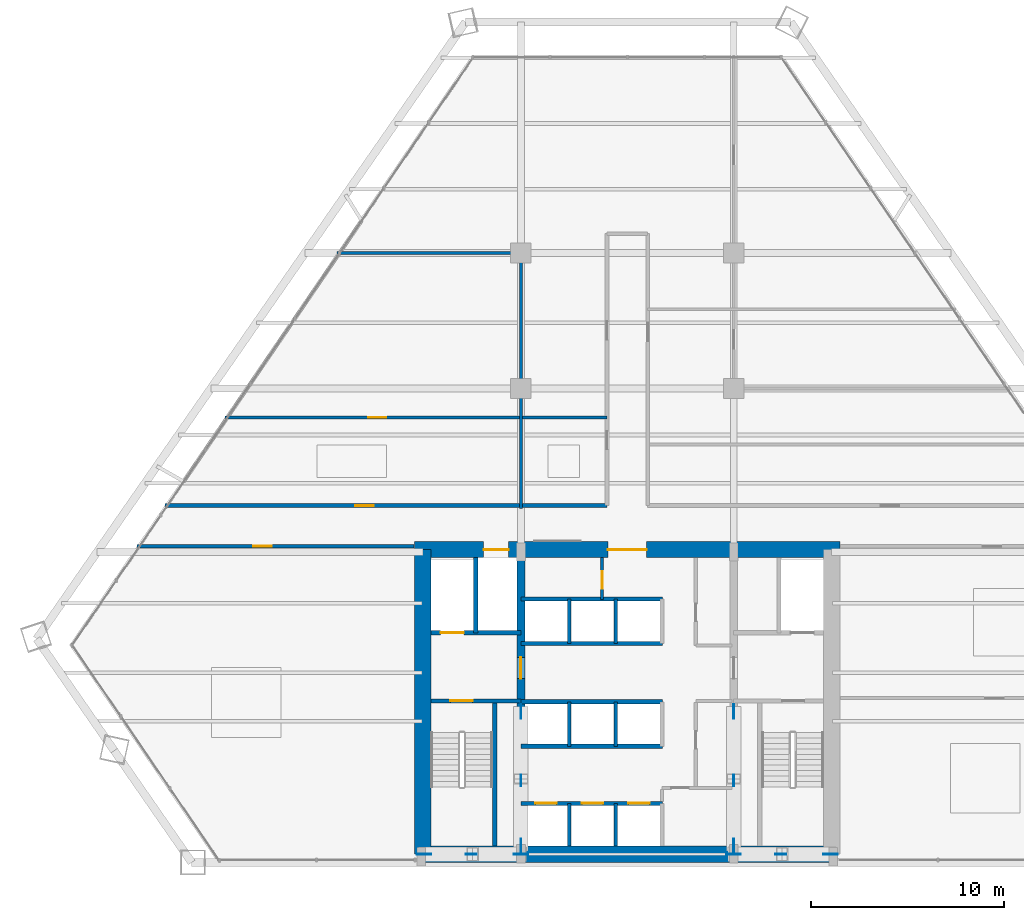
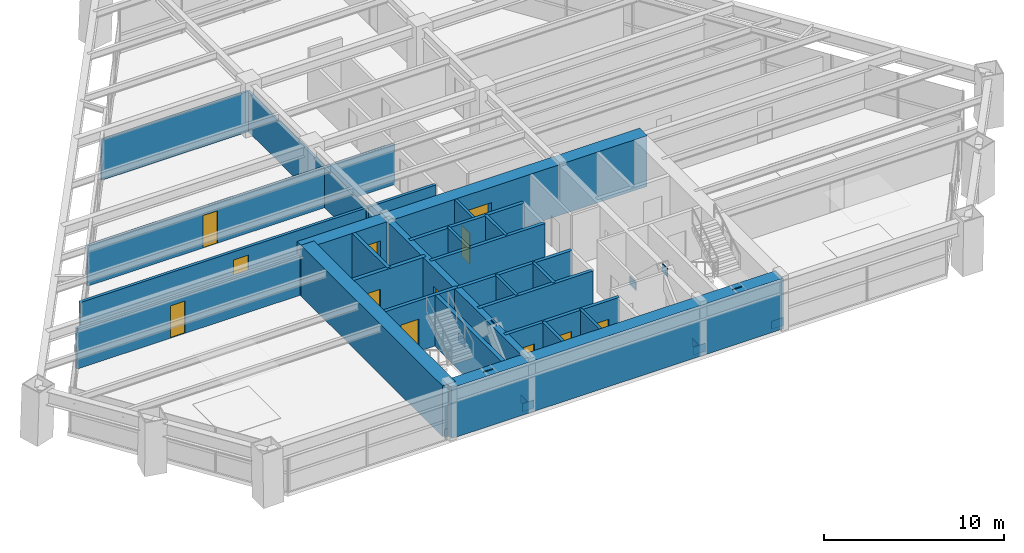
# One storey, part 10 of 13: 25 walls, 12 doors, 12 plates, 12 openings.
"""IFC4 building model written with IfcOpenShell, lengths in metres."""

from ifc_helpers import new_model, si_unit, direction, frame, frame_2d, origin, origin_2d, place, context, subcontext, project, spatial, rectangle, extrude, source, transform, mapped, material, layer, layer_set, type_object, type_shapes, element, fill, save


model = new_model("IFC4")

# Units and contexts
model_context = context("Model", 3, precision=1e-05, world=origin(), true_north=direction((0.0, 1.0)))
body_context = subcontext(model_context, "Body", "Model", "MODEL_VIEW")
ifc_project = project(units=[si_unit("LENGTHUNIT", "METRE"), si_unit("AREAUNIT", "SQUARE_METRE"), si_unit("VOLUMEUNIT", "CUBIC_METRE"), si_unit("PLANEANGLEUNIT", "RADIAN"), si_unit("MASSUNIT", "GRAM", prefix="KILO")], contexts=[model_context])

# Site, building, storey
site_placement = place(None, origin())
site = spatial("IfcSite", under=ifc_project, at=site_placement, CompositionType="ELEMENT")
building_placement = place(site_placement, origin())
building = spatial("IfcBuilding", under=site, at=building_placement, Name="Varnakhor Terracotta Tower", CompositionType="ELEMENT")
storey_placement = place(building_placement, frame((0.0, 0.0, 27.5)))
storey = spatial("IfcBuildingStorey", under=building, at=storey_placement, Name="L05", CompositionType="ELEMENT", Elevation=27.5)

# Plates
ifc_material_1 = material(Name="Steel S460", Category="steel")
ifc_layer_1 = layer(ifc_material_1, 0.050048828125, Name="Steel S460")
ifc_layer_set_1 = layer_set([ifc_layer_1], Name="Steel S460")
plate_type = type_object("IfcPlateType", Name="PLT-GUSSET-50", PredefinedType="USERDEFINED", material=ifc_layer_set_1)
shared_shape_1 = source(origin(), body_context, "Body", "SweptSolid", [
    extrude(rectangle(XDim=0.75, YDim=0.0400390625, at=origin_2d()), origin(), (0.0, 0.0, 1.0), 0.550048828125),
])
type_shapes(plate_type, [shared_shape_1])
for number, where, z_axis, x_axis, name in (
    (1, (-10.5, 0.419921875, -0.09521484375), (0.0, 0.0, 1.0), (1.0, 0.0, 0.0), "L05 Core Brace Embed Plate CSWA"),
    (2, (-5.5, 0.419921875, -0.09521484375), (0.0, 0.0, 1.0), (1.0, 0.0, 0.0), "L05 Core Brace Embed Plate CSWB"),
    (3, (5.5, 0.419921875, -0.09521484375), (0.0, 0.0, 1.0), (1.0, 0.0, 0.0), "L05 Core Brace Embed Plate CSEA"),
    (4, (10.5, 0.419921875, -0.09521484375), (0.0, 0.0, 1.0), (1.0, 0.0, 0.0), "L05 Core Brace Embed Plate CSEB"),
    (5, (-5.5, 0.85009765625, -0.09521484375), (0.0, 0.0, 1.0), (0.0, 1.0, 0.0), "L05 Core Brace Embed Plate CWWA"),
    (6, (-5.5, 7.800048828125, -0.09521484375), (0.0, 0.0, 1.0), (0.0, 1.0, 0.0), "L05 Core Brace Embed Plate CWWB"),
    (7, (5.5, 0.85009765625, -0.09521484375), (0.0, 0.0, 1.0), (0.0, 1.0, 0.0), "L05 Core Brace Embed Plate CWEA"),
    (8, (5.5, 7.800048828125, -0.09521484375), (0.0, 0.0, 1.0), (0.0, 1.0, 0.0), "L05 Core Brace Embed Plate CWEB"),
):
    element("IfcPlate", number, at=place(storey_placement, frame(where, z_axis=z_axis, x_axis=x_axis)), inside=storey, type_object=plate_type, Name=name, ObjectType="GUSSET PLATE", PredefinedType="USERDEFINED", context=body_context, shape_type="MappedRepresentation", body=[
        mapped(shared_shape_1, transform((0.0, 0.0, 0.0), scale=1.0)),
    ])
shared_shape_2 = source(origin(), body_context, "Body", "SweptSolid", [
    extrude(rectangle(XDim=0.580078125, YDim=0.0400390625, at=origin_2d()), origin(), (0.0, 0.0, 1.0), 0.580078125),
])
for number, where, z_axis, x_axis, name in (
    (9, (-8.072509765625, 0.419921875, 2.914306640625), (0.0, 0.0, 1.0), (1.0, 0.0, 0.0), "L05 Brace End Connection Plate 28"),
    (10, (7.927490234375, 0.419921875, 2.914306640625), (0.0, 0.0, 1.0), (1.0, 0.0, 0.0), "L05 Brace End Connection Plate 29"),
    (11, (-5.5, 4.238037109375, 2.92724609375), (0.0, 0.0, 1.0), (0.0, 1.0, 0.0), "L05 Brace End Connection Plate 30"),
    (12, (5.5, 4.238037109375, 2.92724609375), (0.0, 0.0, 1.0), (0.0, 1.0, 0.0), "L05 Brace End Connection Plate 31"),
):
    element("IfcPlate", number, at=place(storey_placement, frame(where, z_axis=z_axis, x_axis=x_axis)), inside=storey, type_object=plate_type, Name=name, ObjectType="GUSSET PLATE", PredefinedType="USERDEFINED", context=body_context, shape_type="MappedRepresentation", body=[
        mapped(shared_shape_2, transform((0.0, 0.0, 0.0), scale=1.0)),
    ])

# Wall
ifc_material_2 = material(Name="Concrete C60/75", Category="concrete")
ifc_layer_2 = layer(ifc_material_2, 0.85009765625, Name="Concrete C60/75")
ifc_layer_set_2 = layer_set([ifc_layer_2], Name="Concrete C60/75")
wall_type_1 = type_object("IfcWallType", Name="WAL-CORE-850", PredefinedType="SHEAR", material=ifc_layer_set_2)
wall_1_placement = place(storey_placement, frame((-10.64990234375, 0.425048828125, 0.0), z_axis=(0.0, 0.0, 1.0), x_axis=(1.0, 0.0, 0.0)))
element("IfcWall", 13, at=wall_1_placement, inside=storey, type_object=wall_type_1, Name="L05 South Core Shear Wall", PredefinedType="SHEAR", context=body_context, shape_type="SweptSolid", body=[
    extrude(rectangle(XDim=21.2998046875, YDim=0.85009765625, at=frame_2d((10.64990234375, 0.0))), origin(), (0.0, 0.0, 1.0), 3.449951171875),
])

# Wall, openings, doors
wall_2_placement = place(storey_placement, frame((-11.0, 16.175048828125, 0.0), z_axis=(0.0, 0.0, 1.0), x_axis=(1.0, 0.0, 0.0)))
wall_2 = element("IfcWall", 14, at=wall_2_placement, inside=storey, type_object=wall_type_1, Name="L05 North Core Shear Wall", PredefinedType="SHEAR", context=body_context, shape_type="SweptSolid", body=[
    extrude(rectangle(XDim=22.0, YDim=0.85009765625, at=frame_2d((11.0, 0.0))), origin(), (0.0, 0.0, 1.0), 3.449951171875),
])
opening_1_placement = place(wall_2_placement, frame((3.570068359375, 0.0, 0.0)))
opening_1 = element("IfcOpeningElement", 15, at=opening_1_placement, cuts=wall_2, Name="Opening LD-03", PredefinedType="OPENING", context=body_context, shape_type="SweptSolid", body=[
    extrude(rectangle(XDim=1.300048828125, YDim=2.300048828125, at=frame_2d((0.64990234375, 1.14990234375))), frame((0.0, 0.43505859375, 0.0), z_axis=(0.0, -1.0, 0.0), x_axis=(1.0, 0.0, 0.0)), (0.0, 0.0, 1.0), 0.8701171875),
])
opening_2_placement = place(wall_2_placement, frame((10.0, 0.0, 0.0)))
opening_2 = element("IfcOpeningElement", 16, at=opening_2_placement, cuts=wall_2, Name="Opening DR-32", PredefinedType="OPENING", context=body_context, shape_type="SweptSolid", body=[
    extrude(rectangle(XDim=2.0, YDim=2.39990234375, at=frame_2d((1.0, 1.199951171875))), frame((0.0, 0.43505859375, 0.0), z_axis=(0.0, -1.0, 0.0), x_axis=(1.0, 0.0, 0.0)), (0.0, 0.0, 1.0), 0.8701171875),
])
ifc_material_3 = material(Name="Heavy-Duty Goods Sliding Lift Landing Door", Category="steel")
door_type_1 = type_object("IfcDoorType", Name="LD-SRV-1300X2300", OperationType="NOTDEFINED", PredefinedType="DOOR", material=ifc_material_3)
shared_shape_3 = source(origin(), body_context, "Body", "SweptSolid", [
    extrude(rectangle(XDim=1.300048828125, YDim=2.300048828125, at=frame_2d((0.64990234375, 1.14990234375))), frame((0.0, 0.02490234375, 0.0), z_axis=(0.0, -1.0, 0.0), x_axis=(1.0, 0.0, 0.0)), (0.0, 0.0, 1.0), 0.050048828125),
])
type_shapes(door_type_1, [shared_shape_3])
door_1_placement = place(opening_1_placement, origin())
door_1 = element("IfcDoor", 17, at=door_1_placement, inside=storey, type_object=door_type_1, Name="L05 Service Lift SVL-1 Landing Door", OperationType="SLIDING_TO_RIGHT", OverallHeight=2.300048828125, OverallWidth=1.300048828125, PredefinedType="DOOR", context=body_context, shape_type="MappedRepresentation", body=[
    mapped(shared_shape_3, transform((0.0, 0.0, 0.0), scale=1.0)),
])
fill(opening_1, door_1)
ifc_material_4 = material(Name="Acoustic Double Assembly Fire Door", Category="wood")
door_type_2 = type_object("IfcDoorType", Name="DR-HALL-2000X2400", OperationType="NOTDEFINED", PredefinedType="DOOR", material=ifc_material_4)
shared_shape_4 = source(origin(), body_context, "Body", "SweptSolid", [
    extrude(rectangle(XDim=2.0, YDim=2.39990234375, at=frame_2d((1.0, 1.199951171875))), frame((0.0, 0.02490234375, 0.0), z_axis=(0.0, -1.0, 0.0), x_axis=(1.0, 0.0, 0.0)), (0.0, 0.0, 1.0), 0.050048828125),
])
type_shapes(door_type_2, [shared_shape_4])
door_2_placement = place(opening_2_placement, origin())
door_2 = element("IfcDoor", 18, at=door_2_placement, inside=storey, type_object=door_type_2, Name="L05 Core Main Lobby Double Door", OperationType="DOUBLE_DOOR_SINGLE_SWING", OverallHeight=2.39990234375, OverallWidth=2.0, PredefinedType="DOOR", context=body_context, shape_type="MappedRepresentation", body=[
    mapped(shared_shape_4, transform((0.0, 0.0, 0.0), scale=1.0)),
])
fill(opening_2, door_2)

# Wall
wall_3_placement = place(storey_placement, frame((-10.574951171875, 0.425048828125, 0.0), z_axis=(0.0, 0.0, 1.0), x_axis=(0.0, 1.0, 0.0)))
element("IfcWall", 19, at=wall_3_placement, inside=storey, type_object=wall_type_1, Name="L05 West Core Shear Wall", PredefinedType="SHEAR", context=body_context, shape_type="SweptSolid", body=[
    extrude(rectangle(XDim=15.75, YDim=0.85009765625, at=frame_2d((7.875, 0.0))), origin(), (0.0, 0.0, 1.0), 3.449951171875),
])

# Wall, opening, door
ifc_material_5 = material(Name="Concrete C50/60", Category="concrete")
ifc_layer_3 = layer(ifc_material_5, 0.39990234375, Name="Concrete C50/60")
ifc_layer_set_3 = layer_set([ifc_layer_3], Name="Concrete C50/60")
wall_type_2 = type_object("IfcWallType", Name="WAL-CORE-WEB-400", PredefinedType="SHEAR", material=ifc_layer_set_3)
wall_4_placement = place(storey_placement, frame((-5.5, 0.425048828125, 0.0), z_axis=(0.0, 0.0, 1.0), x_axis=(0.0, 1.0, 0.0)))
wall_4 = element("IfcWall", 20, at=wall_4_placement, inside=storey, type_object=wall_type_2, Name="L05 West Core Web Shear Wall", PredefinedType="SHEAR", context=body_context, shape_type="SweptSolid", body=[
    extrude(rectangle(XDim=15.75, YDim=0.39990234375, at=frame_2d((7.875, 0.0))), origin(), (0.0, 0.0, 1.0), 3.449951171875),
])
opening_3_placement = place(wall_4_placement, frame((9.074951171875, 0.0, 0.0)))
opening_3 = element("IfcOpeningElement", 21, at=opening_3_placement, cuts=wall_4, Name="Opening DR-25", PredefinedType="OPENING", context=body_context, shape_type="SweptSolid", body=[
    extrude(rectangle(XDim=1.10009765625, YDim=2.199951171875, at=frame_2d((0.550048828125, 1.10009765625))), frame((0.0, 0.2099609375, 0.0), z_axis=(0.0, -1.0, 0.0), x_axis=(1.0, 0.0, 0.0)), (0.0, 0.0, 1.0), 0.419921875),
])
ifc_material_6 = material(Name="Firefighting Lobby Self-Closing Fire Door", Category="steel")
door_type_3 = type_object("IfcDoorType", Name="DR-FFL-1100X2200", OperationType="NOTDEFINED", PredefinedType="DOOR", material=ifc_material_6)
shared_shape_5 = source(origin(), body_context, "Body", "SweptSolid", [
    extrude(rectangle(XDim=1.10009765625, YDim=2.199951171875, at=frame_2d((0.550048828125, 1.10009765625))), frame((0.0, 0.02490234375, 0.0), z_axis=(0.0, -1.0, 0.0), x_axis=(1.0, 0.0, 0.0)), (0.0, 0.0, 1.0), 0.050048828125),
])
type_shapes(door_type_3, [shared_shape_5])
door_3_placement = place(opening_3_placement, origin())
door_3 = element("IfcDoor", 22, at=door_3_placement, inside=storey, type_object=door_type_3, Name="L05 West Firefighting Lobby Door", OperationType="SINGLE_SWING_LEFT", OverallHeight=2.199951171875, OverallWidth=1.10009765625, PredefinedType="DOOR", context=body_context, shape_type="MappedRepresentation", body=[
    mapped(shared_shape_5, transform((0.0, 0.0, 0.0), scale=1.0)),
])
fill(opening_3, door_3)

ifc_material_7 = material(Name="Fire-Rated Gypsum Stud Partition", Category="gypsum")
ifc_layer_4 = layer(ifc_material_7, 0.18505859375, Name="Fire-Rated Gypsum Stud Partition")
ifc_layer_set_4 = layer_set([ifc_layer_4], Name="Fire-Rated Gypsum Stud Partition")
wall_type_3 = type_object("IfcWallType", Name="WAL-CORR-185", PredefinedType="PARTITIONING", material=ifc_layer_set_4)
wall_5_placement = place(storey_placement, frame((-25.333251953125, 16.35009765625, 0.0), z_axis=(0.0, 0.0, 1.0), x_axis=(1.0, 0.0, 0.0)))
wall_5 = element("IfcWall", 23, at=wall_5_placement, inside=storey, type_object=wall_type_3, Name="L05 South West Corridor Wall", PredefinedType="PARTITIONING", context=body_context, shape_type="SweptSolid", body=[
    extrude(rectangle(XDim=14.313232421875, YDim=0.18505859375, at=frame_2d((7.15673828125, 0.0))), origin(), (0.0, 0.0, 1.0), 2.7470703125),
])
opening_4_placement = place(wall_5_placement, frame((6.0, 0.0, 0.0)))
opening_4 = element("IfcOpeningElement", 24, at=opening_4_placement, cuts=wall_5, Name="Opening DR-94", PredefinedType="OPENING", context=body_context, shape_type="SweptSolid", body=[
    extrude(rectangle(XDim=0.949951171875, YDim=2.199951171875, at=frame_2d((0.47509765625, 1.10009765625))), frame((0.0, 0.1025390625, 0.0), z_axis=(0.0, -1.0, 0.0), x_axis=(1.0, 0.0, 0.0)), (0.0, 0.0, 1.0), 0.205078125),
])
ifc_material_8 = material(Name="Acoustic Glazed-Vision Timber Office Door", Category="wood")
door_type_4 = type_object("IfcDoorType", Name="DR-OFF-950X2200", OperationType="NOTDEFINED", PredefinedType="DOOR", material=ifc_material_8)
shared_shape_6 = source(origin(), body_context, "Body", "SweptSolid", [
    extrude(rectangle(XDim=0.949951171875, YDim=2.199951171875, at=frame_2d((0.47509765625, 1.10009765625))), frame((0.0, 0.02490234375, 0.0), z_axis=(0.0, -1.0, 0.0), x_axis=(1.0, 0.0, 0.0)), (0.0, 0.0, 1.0), 0.050048828125),
])
type_shapes(door_type_4, [shared_shape_6])
door_4_placement = place(opening_4_placement, origin())
door_4 = element("IfcDoor", 25, at=door_4_placement, inside=storey, type_object=door_type_4, Name="L05 SW Suite Door", OperationType="SINGLE_SWING_RIGHT", OverallHeight=2.199951171875, OverallWidth=0.949951171875, PredefinedType="DOOR", context=body_context, shape_type="MappedRepresentation", body=[
    mapped(shared_shape_6, transform((0.0, 0.0, 0.0), scale=1.0)),
])
fill(opening_4, door_4)

wall_6_placement = place(storey_placement, frame((-23.900390625, 18.449951171875, 0.0), z_axis=(0.0, 0.0, 1.0), x_axis=(1.0, 0.0, 0.0)))
wall_6 = element("IfcWall", 26, at=wall_6_placement, inside=storey, type_object=wall_type_3, Name="L05 Corridor North West Wall", PredefinedType="PARTITIONING", context=body_context, shape_type="SweptSolid", body=[
    extrude(rectangle(XDim=22.850341796875, YDim=0.18505859375, at=frame_2d((11.42529296875, 0.0))), origin(), (0.0, 0.0, 1.0), 2.7470703125),
])
opening_5_placement = place(wall_6_placement, frame((9.841796875, 0.0, 0.0)))
opening_5 = element("IfcOpeningElement", 27, at=opening_5_placement, cuts=wall_6, Name="Opening DR-94", PredefinedType="OPENING", context=body_context, shape_type="SweptSolid", body=[
    extrude(rectangle(XDim=0.949951171875, YDim=2.199951171875, at=frame_2d((0.47509765625, 1.10009765625))), frame((0.0, 0.1025390625, 0.0), z_axis=(0.0, -1.0, 0.0), x_axis=(1.0, 0.0, 0.0)), (0.0, 0.0, 1.0), 0.205078125),
])
door_5_placement = place(opening_5_placement, origin())
door_5 = element("IfcDoor", 28, at=door_5_placement, inside=storey, type_object=door_type_4, Name="L05 West Workplace Door", OperationType="SINGLE_SWING_RIGHT", OverallHeight=2.199951171875, OverallWidth=0.949951171875, PredefinedType="DOOR", context=body_context, shape_type="MappedRepresentation", body=[
    mapped(shared_shape_6, transform((0.0, 0.0, 0.0), scale=1.0)),
])
fill(opening_5, door_5)

ifc_material_9 = material(Name="Concrete C40/50", Category="concrete")
ifc_layer_5 = layer(ifc_material_9, 0.219970703125, Name="Concrete C40/50")
ifc_layer_set_5 = layer_set([ifc_layer_5], Name="Concrete C40/50")
wall_type_4 = type_object("IfcWallType", Name="WAL-FFLOBBY-220", PredefinedType="SOLIDWALL", material=ifc_layer_set_5)
wall_7_placement = place(storey_placement, frame((-5.5, 8.35009765625, 0.0), z_axis=(0.0, 0.0, 1.0), x_axis=(-1.0, 0.0, 0.0)))
wall_7 = element("IfcWall", 29, at=wall_7_placement, inside=storey, type_object=wall_type_4, Name="L05 West Firefighting Lobby Stair Wall", PredefinedType="SOLIDWALL", context=body_context, shape_type="SweptSolid", body=[
    extrude(rectangle(XDim=4.64990234375, YDim=0.219970703125, at=frame_2d((2.324951171875, 0.0))), origin(), (0.0, 0.0, 1.0), 3.449951171875),
])
opening_6_placement = place(wall_7_placement, frame((2.5, 0.0, 0.0)))
opening_6 = element("IfcOpeningElement", 30, at=opening_6_placement, cuts=wall_7, Name="Opening DR-34", PredefinedType="OPENING", context=body_context, shape_type="SweptSolid", body=[
    extrude(rectangle(XDim=1.14990234375, YDim=2.199951171875, at=frame_2d((0.574951171875, 1.10009765625))), frame((0.0, 0.1201171875, 0.0), z_axis=(0.0, -1.0, 0.0), x_axis=(1.0, 0.0, 0.0)), (0.0, 0.0, 1.0), 0.239990234375),
])
ifc_material_10 = material(Name="Self-Closing Smoke-Sealed Steel Fire Door", Category="steel")
door_type_5 = type_object("IfcDoorType", Name="DR-STAIR-1150X2200", OperationType="NOTDEFINED", PredefinedType="DOOR", material=ifc_material_10)
shared_shape_7 = source(origin(), body_context, "Body", "SweptSolid", [
    extrude(rectangle(XDim=1.14990234375, YDim=2.199951171875, at=frame_2d((0.574951171875, 1.10009765625))), frame((0.0, 0.02490234375, 0.0), z_axis=(0.0, -1.0, 0.0), x_axis=(1.0, 0.0, 0.0)), (0.0, 0.0, 1.0), 0.050048828125),
])
type_shapes(door_type_5, [shared_shape_7])
door_6_placement = place(opening_6_placement, origin())
door_6 = element("IfcDoor", 31, at=door_6_placement, inside=storey, type_object=door_type_5, Name="L05 Exit Stair ST-1 Fire Door", OperationType="SINGLE_SWING_RIGHT", OverallHeight=2.199951171875, OverallWidth=1.14990234375, PredefinedType="DOOR", context=body_context, shape_type="MappedRepresentation", body=[
    mapped(shared_shape_7, transform((0.0, 0.0, 0.0), scale=1.0)),
])
fill(opening_6, door_6)

# Walls
ifc_material_11 = material(Name="Acoustic Metal-Stud Partition", Category="gypsum")
ifc_layer_6 = layer(ifc_material_11, 0.139892578125, Name="Acoustic Metal-Stud Partition")
ifc_layer_set_6 = layer_set([ifc_layer_6], Name="Acoustic Metal-Stud Partition")
wall_type_5 = type_object("IfcWallType", Name="WAL-PART-140", PredefinedType="PARTITIONING", material=ifc_layer_set_6)
wall_8_placement = place(storey_placement, frame((-5.5, 18.300048828125, 0.0), z_axis=(0.0, 0.0, 1.0), x_axis=(0.0, 1.0, 0.0)))
element("IfcWall", 32, at=wall_8_placement, inside=storey, type_object=wall_type_5, Name="L05 West Column Line Wall", PredefinedType="PARTITIONING", context=body_context, shape_type="SweptSolid", body=[
    extrude(rectangle(XDim=13.199951171875, YDim=0.139892578125, at=frame_2d((6.60009765625, 0.0))), origin(), (0.0, 0.0, 1.0), 2.7470703125),
])
wall_9_placement = place(storey_placement, frame((-14.997314453125, 31.5, 0.0), z_axis=(0.0, 0.0, 1.0), x_axis=(1.0, 0.0, 0.0)))
element("IfcWall", 33, at=wall_9_placement, inside=storey, type_object=wall_type_5, Name="L05 North West Column Wall", PredefinedType="PARTITIONING", context=body_context, shape_type="SweptSolid", body=[
    extrude(rectangle(XDim=9.497314453125, YDim=0.139892578125, at=frame_2d((4.74853515625, 0.0))), origin(), (0.0, 0.0, 1.0), 2.7470703125),
])

# Wall, opening, door
wall_10_placement = place(storey_placement, frame((-20.79638671875, 23.0, 0.0), z_axis=(0.0, 0.0, 1.0), x_axis=(1.0, 0.0, 0.0)))
wall_10 = element("IfcWall", 34, at=wall_10_placement, inside=storey, type_object=wall_type_5, Name="L05 West Wing Cut 1", PredefinedType="PARTITIONING", context=body_context, shape_type="SweptSolid", body=[
    extrude(rectangle(XDim=19.746337890625, YDim=0.139892578125, at=frame_2d((9.873046875, 0.0))), origin(), (0.0, 0.0, 1.0), 2.7470703125),
])
opening_7_placement = place(wall_10_placement, frame((7.39599609375, 0.0, 0.0)))
opening_7 = element("IfcOpeningElement", 35, at=opening_7_placement, cuts=wall_10, Name="Opening DR-94", PredefinedType="OPENING", context=body_context, shape_type="SweptSolid", body=[
    extrude(rectangle(XDim=0.949951171875, YDim=2.199951171875, at=frame_2d((0.47509765625, 1.10009765625))), frame((0.0, 0.080078125, 0.0), z_axis=(0.0, -1.0, 0.0), x_axis=(1.0, 0.0, 0.0)), (0.0, 0.0, 1.0), 0.159912109375),
])
door_7_placement = place(opening_7_placement, origin())
door_7 = element("IfcDoor", 36, at=door_7_placement, inside=storey, type_object=door_type_4, Name="L05 Conference Room E2 Door", OperationType="SINGLE_SWING_RIGHT", OverallHeight=2.199951171875, OverallWidth=0.949951171875, PredefinedType="DOOR", context=body_context, shape_type="MappedRepresentation", body=[
    mapped(shared_shape_6, transform((0.0, 0.0, 0.0), scale=1.0)),
])
fill(opening_7, door_7)

# Walls
ifc_layer_7 = layer(ifc_material_9, 0.179931640625, Name="Concrete C40/50")
ifc_layer_set_7 = layer_set([ifc_layer_7], Name="Concrete C40/50")
wall_type_6 = type_object("IfcWallType", Name="WAL-SHAFT-180", PredefinedType="SOLIDWALL", material=ifc_layer_set_7)
for number, where, z_axis, x_axis, name in (
    (37, (-3.0, 0.85009765625, 0.0), (0.0, 0.0, 1.0), (0.0, 1.0, 0.0), "L05 PL-1A Divider"),
    (38, (-0.60009765625, 0.85009765625, 0.0), (0.0, 0.0, 1.0), (0.0, 1.0, 0.0), "L05 PL-1B Divider"),
):
    element("IfcWall", number, at=place(storey_placement, frame(where, z_axis=z_axis, x_axis=x_axis)), inside=storey, type_object=wall_type_6, Name=name, PredefinedType="SOLIDWALL", context=body_context, shape_type="SweptSolid", body=[
        extrude(rectangle(XDim=2.199951171875, YDim=0.179931640625, at=frame_2d((1.10009765625, 0.0))), origin(), (0.0, 0.0, 1.0), 3.449951171875),
    ])
for number, where, z_axis, x_axis, name in (
    (39, (-3.0, 6.0, 0.0), (0.0, 0.0, 1.0), (0.0, 1.0, 0.0), "L05 PL-2A Divider"),
    (40, (-0.60009765625, 6.0, 0.0), (0.0, 0.0, 1.0), (0.0, 1.0, 0.0), "L05 PL-2B Divider"),
    (41, (-3.0, 11.320068359375, 0.0), (0.0, 0.0, 1.0), (0.0, 1.0, 0.0), "L05 PL-3A Divider"),
    (42, (-0.60009765625, 11.320068359375, 0.0), (0.0, 0.0, 1.0), (0.0, 1.0, 0.0), "L05 PL-3B Divider"),
):
    element("IfcWall", number, at=place(storey_placement, frame(where, z_axis=z_axis, x_axis=x_axis)), inside=storey, type_object=wall_type_6, Name=name, PredefinedType="SOLIDWALL", context=body_context, shape_type="SweptSolid", body=[
        extrude(rectangle(XDim=2.300048828125, YDim=0.179931640625, at=frame_2d((1.14990234375, 0.0))), origin(), (0.0, 0.0, 1.0), 3.449951171875),
    ])
ifc_layer_8 = layer(ifc_material_9, 0.219970703125, Name="Concrete C40/50")
ifc_layer_set_8 = layer_set([ifc_layer_8], Name="Concrete C40/50")
wall_type_7 = type_object("IfcWallType", Name="WAL-SHAFT-220", PredefinedType="SOLIDWALL", material=ifc_layer_set_8)
wall_11_placement = place(storey_placement, frame((-7.840087890625, 11.8701171875, 0.0), z_axis=(0.0, 0.0, 1.0), x_axis=(0.0, 1.0, 0.0)))
element("IfcWall", 43, at=wall_11_placement, inside=storey, type_object=wall_type_7, Name="L05 Lift FFL-1 and SVL-1 Divider Wall", PredefinedType="SOLIDWALL", context=body_context, shape_type="SweptSolid", body=[
    extrude(rectangle(XDim=3.8798828125, YDim=0.219970703125, at=frame_2d((1.93994140625, 0.0))), origin(), (0.0, 0.0, 1.0), 3.449951171875),
])

# Wall, openings, doors
wall_12_placement = place(storey_placement, frame((-5.5, 3.050048828125, 0.0), z_axis=(0.0, 0.0, 1.0), x_axis=(1.0, 0.0, 0.0)))
wall_12 = element("IfcWall", 44, at=wall_12_placement, inside=storey, type_object=wall_type_7, Name="L05 Bank 1 Lift Shaft Wall", PredefinedType="SOLIDWALL", context=body_context, shape_type="SweptSolid", body=[
    extrude(rectangle(XDim=7.320068359375, YDim=0.219970703125, at=frame_2d((3.66015625, 0.0))), origin(), (0.0, 0.0, 1.0), 3.449951171875),
])
opening_8_placement = place(wall_12_placement, frame((0.75, 0.0, 0.0)))
opening_8 = element("IfcOpeningElement", 45, at=opening_8_placement, cuts=wall_12, Name="Opening LD-01", PredefinedType="OPENING", context=body_context, shape_type="SweptSolid", body=[
    extrude(rectangle(XDim=1.10009765625, YDim=2.199951171875, at=frame_2d((0.550048828125, 1.10009765625))), frame((0.0, 0.1201171875, 0.0), z_axis=(0.0, -1.0, 0.0), x_axis=(1.0, 0.0, 0.0)), (0.0, 0.0, 1.0), 0.239990234375),
])
opening_9_placement = place(wall_12_placement, frame((3.14990234375, 0.0, 0.0)))
opening_9 = element("IfcOpeningElement", 46, at=opening_9_placement, cuts=wall_12, Name="Opening LD-01", PredefinedType="OPENING", context=body_context, shape_type="SweptSolid", body=[
    extrude(rectangle(XDim=1.10009765625, YDim=2.199951171875, at=frame_2d((0.550048828125, 1.10009765625))), frame((0.0, 0.1201171875, 0.0), z_axis=(0.0, -1.0, 0.0), x_axis=(1.0, 0.0, 0.0)), (0.0, 0.0, 1.0), 0.239990234375),
])
opening_10_placement = place(wall_12_placement, frame((5.550048828125, 0.0, 0.0)))
opening_10 = element("IfcOpeningElement", 47, at=opening_10_placement, cuts=wall_12, Name="Opening LD-01", PredefinedType="OPENING", context=body_context, shape_type="SweptSolid", body=[
    extrude(rectangle(XDim=1.10009765625, YDim=2.199951171875, at=frame_2d((0.550048828125, 1.10009765625))), frame((0.0, 0.1201171875, 0.0), z_axis=(0.0, -1.0, 0.0), x_axis=(1.0, 0.0, 0.0)), (0.0, 0.0, 1.0), 0.239990234375),
])
ifc_material_12 = material(Name="Brushed Stainless Steel Sliding Lift Landing Door", Category="steel")
door_type_6 = type_object("IfcDoorType", Name="LD-PASS-1100X2200", OperationType="NOTDEFINED", PredefinedType="DOOR", material=ifc_material_12)
shared_shape_8 = source(origin(), body_context, "Body", "SweptSolid", [
    extrude(rectangle(XDim=1.10009765625, YDim=2.199951171875, at=frame_2d((0.550048828125, 1.10009765625))), frame((0.0, 0.02490234375, 0.0), z_axis=(0.0, -1.0, 0.0), x_axis=(1.0, 0.0, 0.0)), (0.0, 0.0, 1.0), 0.050048828125),
])
type_shapes(door_type_6, [shared_shape_8])
door_8_placement = place(opening_8_placement, origin())
door_8 = element("IfcDoor", 48, at=door_8_placement, inside=storey, type_object=door_type_6, Name="L05 Passenger Lift PL-1A Landing Door", OperationType="SLIDING_TO_RIGHT", OverallHeight=2.199951171875, OverallWidth=1.10009765625, PredefinedType="DOOR", context=body_context, shape_type="MappedRepresentation", body=[
    mapped(shared_shape_8, transform((0.0, 0.0, 0.0), scale=1.0)),
])
fill(opening_8, door_8)
door_9_placement = place(opening_9_placement, origin())
door_9 = element("IfcDoor", 49, at=door_9_placement, inside=storey, type_object=door_type_6, Name="L05 Passenger Lift PL-1B Landing Door", OperationType="SLIDING_TO_RIGHT", OverallHeight=2.199951171875, OverallWidth=1.10009765625, PredefinedType="DOOR", context=body_context, shape_type="MappedRepresentation", body=[
    mapped(shared_shape_8, transform((0.0, 0.0, 0.0), scale=1.0)),
])
fill(opening_9, door_9)
door_10_placement = place(opening_10_placement, origin())
door_10 = element("IfcDoor", 50, at=door_10_placement, inside=storey, type_object=door_type_6, Name="L05 Passenger Lift PL-1C Landing Door", OperationType="SLIDING_TO_RIGHT", OverallHeight=2.199951171875, OverallWidth=1.10009765625, PredefinedType="DOOR", context=body_context, shape_type="MappedRepresentation", body=[
    mapped(shared_shape_8, transform((0.0, 0.0, 0.0), scale=1.0)),
])
fill(opening_10, door_10)

# Walls
for number, where, z_axis, x_axis, name in (
    (51, (-5.5, 6.0, 0.0), (0.0, 0.0, 1.0), (1.0, 0.0, 0.0), "L05 Bank 2 South Shaft Wall"),
    (52, (-5.5, 8.300048828125, 0.0), (0.0, 0.0, 1.0), (1.0, 0.0, 0.0), "L05 Bank 2 North Shaft Wall"),
    (53, (-5.5, 11.320068359375, 0.0), (0.0, 0.0, 1.0), (1.0, 0.0, 0.0), "L05 Bank 3 South Shaft Wall"),
    (54, (-5.5, 13.6201171875, 0.0), (0.0, 0.0, 1.0), (1.0, 0.0, 0.0), "L05 Bank 3 North Shaft Wall"),
):
    element("IfcWall", number, at=place(storey_placement, frame(where, z_axis=z_axis, x_axis=x_axis)), inside=storey, type_object=wall_type_7, Name=name, PredefinedType="SOLIDWALL", context=body_context, shape_type="SweptSolid", body=[
        extrude(rectangle(XDim=7.320068359375, YDim=0.219970703125, at=frame_2d((3.66015625, 0.0))), origin(), (0.0, 0.0, 1.0), 3.449951171875),
    ])
ifc_layer_9 = layer(ifc_material_9, 0.25, Name="Concrete C40/50")
ifc_layer_set_9 = layer_set([ifc_layer_9], Name="Concrete C40/50")
wall_type_8 = type_object("IfcWallType", Name="WAL-SHAFT-250", PredefinedType="SOLIDWALL", material=ifc_layer_set_9)
wall_13_placement = place(storey_placement, frame((-6.85009765625, 0.85009765625, 0.0), z_axis=(0.0, 0.0, 1.0), x_axis=(0.0, 1.0, 0.0)))
element("IfcWall", 55, at=wall_13_placement, inside=storey, type_object=wall_type_8, Name="L05 Stair ST-1 Bearing Shaft Wall", PredefinedType="SOLIDWALL", context=body_context, shape_type="SweptSolid", body=[
    extrude(rectangle(XDim=7.5, YDim=0.25, at=frame_2d((3.75, 0.0))), origin(), (0.0, 0.0, 1.0), 3.449951171875),
])

# Wall, opening, door
wall_14_placement = place(storey_placement, frame((-5.5, 11.8701171875, 0.0), z_axis=(0.0, 0.0, 1.0), x_axis=(-1.0, 0.0, 0.0)))
wall_14 = element("IfcWall", 56, at=wall_14_placement, inside=storey, type_object=wall_type_8, Name="L05 Lift FFL-1 Shaft Front Wall", PredefinedType="SOLIDWALL", context=body_context, shape_type="SweptSolid", body=[
    extrude(rectangle(XDim=4.64990234375, YDim=0.25, at=frame_2d((2.324951171875, 0.0))), origin(), (0.0, 0.0, 1.0), 3.449951171875),
])
opening_11_placement = place(wall_14_placement, frame((2.949951171875, 0.0, 0.0)))
opening_11 = element("IfcOpeningElement", 57, at=opening_11_placement, cuts=wall_14, Name="Opening LD-02", PredefinedType="OPENING", context=body_context, shape_type="SweptSolid", body=[
    extrude(rectangle(XDim=1.199951171875, YDim=2.25, at=frame_2d((0.60009765625, 1.125))), frame((0.0, 0.135009765625, 0.0), z_axis=(0.0, -1.0, 0.0), x_axis=(1.0, 0.0, 0.0)), (0.0, 0.0, 1.0), 0.27001953125),
])
ifc_material_13 = material(Name="Firefighting Stretcher Sliding Lift Landing Door", Category="steel")
door_type_7 = type_object("IfcDoorType", Name="LD-FFL-1200X2250", OperationType="NOTDEFINED", PredefinedType="DOOR", material=ifc_material_13)
shared_shape_9 = source(origin(), body_context, "Body", "SweptSolid", [
    extrude(rectangle(XDim=1.199951171875, YDim=2.25, at=frame_2d((0.60009765625, 1.125))), frame((0.0, 0.02490234375, 0.0), z_axis=(0.0, -1.0, 0.0), x_axis=(1.0, 0.0, 0.0)), (0.0, 0.0, 1.0), 0.050048828125),
])
type_shapes(door_type_7, [shared_shape_9])
door_11_placement = place(opening_11_placement, origin())
door_11 = element("IfcDoor", 58, at=door_11_placement, inside=storey, type_object=door_type_7, Name="L05 Firefighting Lift FFL-1 Landing Door", OperationType="SLIDING_TO_LEFT", OverallHeight=2.25, OverallWidth=1.199951171875, PredefinedType="DOOR", context=body_context, shape_type="MappedRepresentation", body=[
    mapped(shared_shape_9, transform((0.0, 0.0, 0.0), scale=1.0)),
])
fill(opening_11, door_11)

ifc_material_14 = material(Name="Acoustic Fire-Rated Partition", Category="gypsum")
ifc_layer_10 = layer(ifc_material_14, 0.1650390625, Name="Acoustic Fire-Rated Partition")
ifc_layer_set_10 = layer_set([ifc_layer_10], Name="Acoustic Fire-Rated Partition")
wall_type_9 = type_object("IfcWallType", Name="WAL-TENANCY-165", PredefinedType="PARTITIONING", material=ifc_layer_set_10)
wall_15_placement = place(storey_placement, frame((-1.300048828125, 13.60009765625, 0.0), z_axis=(0.0, 0.0, 1.0), x_axis=(0.0, 1.0, 0.0)))
wall_15 = element("IfcWall", 59, at=wall_15_placement, inside=storey, type_object=wall_type_9, Name="L05 Male Restroom Wall", PredefinedType="PARTITIONING", context=body_context, shape_type="SweptSolid", body=[
    extrude(rectangle(XDim=2.14990234375, YDim=0.1650390625, at=frame_2d((1.074951171875, 0.0))), origin(), (0.0, 0.0, 1.0), 3.44189453125),
])
opening_12_placement = place(wall_15_placement, frame((0.550048828125, 0.0, 0.0)))
opening_12 = element("IfcOpeningElement", 60, at=opening_12_placement, cuts=wall_15, Name="Opening DR-67", PredefinedType="OPENING", context=body_context, shape_type="SweptSolid", body=[
    extrude(rectangle(XDim=0.89990234375, YDim=2.10009765625, at=frame_2d((0.449951171875, 1.050048828125))), frame((0.0, 0.092529296875, 0.0), z_axis=(0.0, -1.0, 0.0), x_axis=(1.0, 0.0, 0.0)), (0.0, 0.0, 1.0), 0.18505859375),
])
ifc_material_15 = material(Name="Steel Service Riser Fire Door", Category="steel")
door_type_8 = type_object("IfcDoorType", Name="DR-RISER-900X2100", OperationType="NOTDEFINED", PredefinedType="DOOR", material=ifc_material_15)
shared_shape_10 = source(origin(), body_context, "Body", "SweptSolid", [
    extrude(rectangle(XDim=0.89990234375, YDim=2.10009765625, at=frame_2d((0.449951171875, 1.050048828125))), frame((0.0, 0.02490234375, 0.0), z_axis=(0.0, -1.0, 0.0), x_axis=(1.0, 0.0, 0.0)), (0.0, 0.0, 1.0), 0.050048828125),
])
type_shapes(door_type_8, [shared_shape_10])
door_12_placement = place(opening_12_placement, origin())
door_12 = element("IfcDoor", 61, at=door_12_placement, inside=storey, type_object=door_type_8, Name="L05 Male WC Door", OperationType="SINGLE_SWING_RIGHT", OverallHeight=2.10009765625, OverallWidth=0.89990234375, PredefinedType="DOOR", context=body_context, shape_type="MappedRepresentation", body=[
    mapped(shared_shape_10, transform((0.0, 0.0, 0.0), scale=1.0)),
])
fill(opening_12, door_12)

save(model, "model.ifc")
